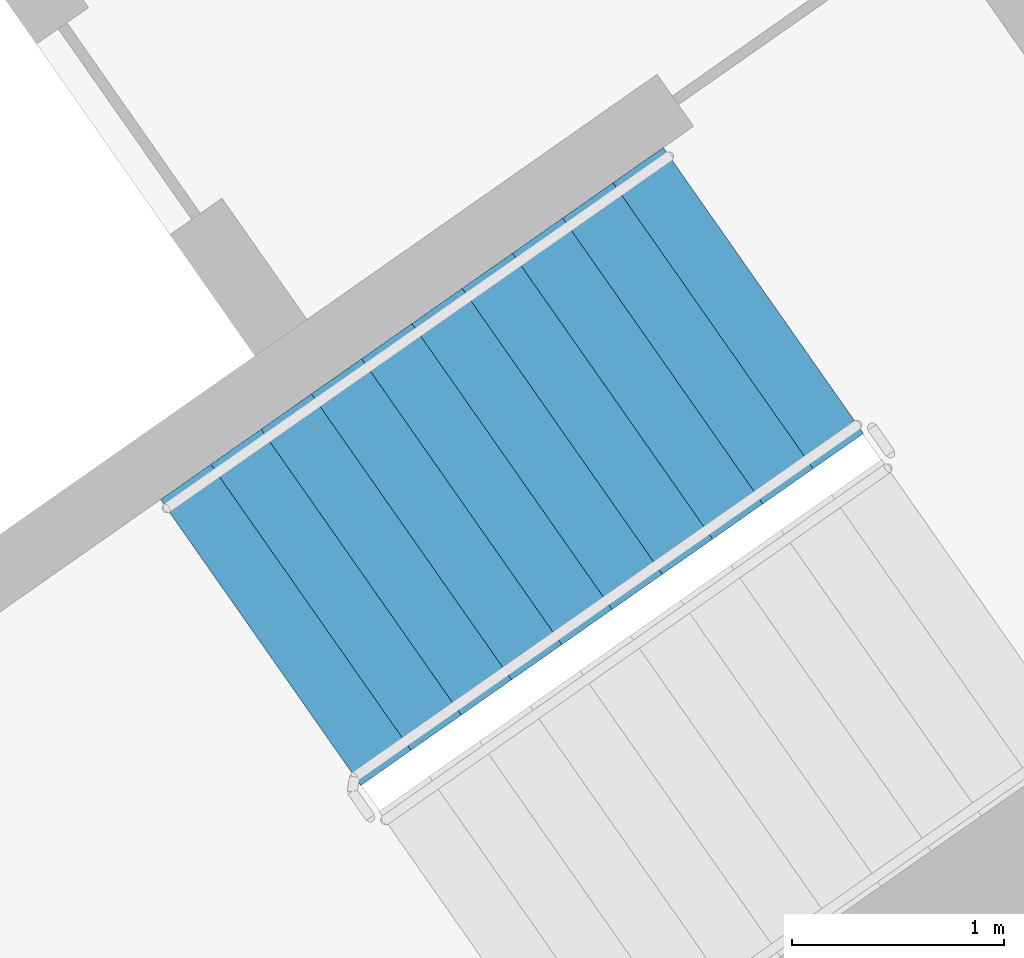
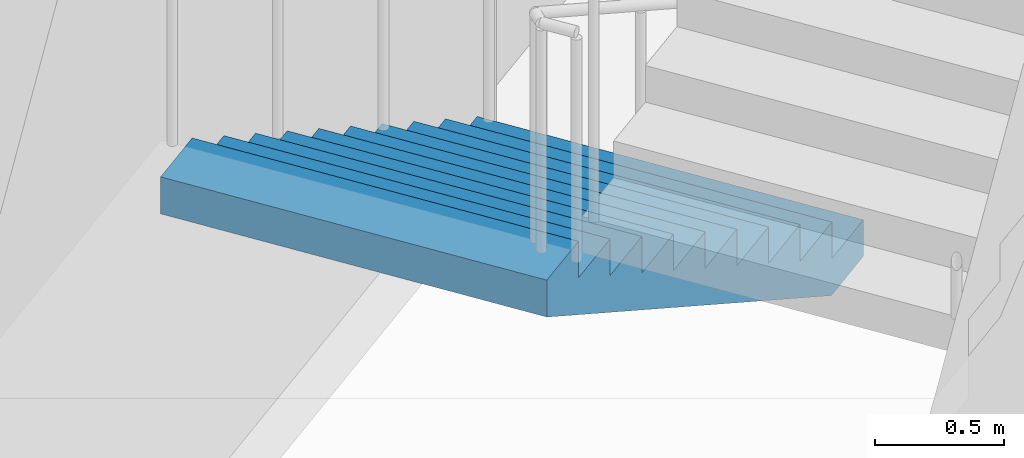
# One storey, part 15 of 28: 1 stair flight, 1 element without a shape of its own.
"""IFC4 building model written with IfcOpenShell, lengths in metres."""

from ifc_helpers import new_model, si_unit, direction, frame, origin, place, context, subcontext, project, spatial, faceted_brep, material, type_object, element, aggregate, save


model = new_model("IFC4")

# Units and contexts
model_context = context("Model", 3, precision=1e-05, world=origin(), true_north=direction((0.0, 1.0)))
body_context = subcontext(model_context, "Body", "Model", "MODEL_VIEW")
ifc_project = project(units=[si_unit("LENGTHUNIT", "METRE"), si_unit("AREAUNIT", "SQUARE_METRE"), si_unit("VOLUMEUNIT", "CUBIC_METRE"), si_unit("PLANEANGLEUNIT", "RADIAN"), si_unit("MASSUNIT", "GRAM", prefix="KILO")], contexts=[model_context])

# Site, building, storey
site_placement = place(None, origin())
site = spatial("IfcSite", under=ifc_project, at=site_placement, CompositionType="ELEMENT")
building_placement = place(site_placement, origin())
building = spatial("IfcBuilding", under=site, at=building_placement, Name="Qamariyya Broadcast Tower", CompositionType="ELEMENT")
storey_placement = place(building_placement, frame((0.0, 0.0, 218.89990234375)))
storey = spatial("IfcBuildingStorey", under=building, at=storey_placement, Name="L52", CompositionType="ELEMENT", Elevation=218.89990234375)

# Stair, stair flight
ifc_material = material(Name="Concrete C50/60", Category="concrete")
stair_type = type_object("IfcStairType", Name="Exit stair 22 risers of 173 mm", PredefinedType="HALF_TURN_STAIR", material=ifc_material)
stair_placement = place(storey_placement, origin())
stair = element("IfcStair", 1, at=stair_placement, inside=storey, type_object=stair_type, Name="L52 Stair E1", PredefinedType="HALF_TURN_STAIR")
stair_flight_type = type_object("IfcStairFlightType", Name="Exit stair flight 11 risers of 173 mm", PredefinedType="STRAIGHT", material=ifc_material)
stair_flight_placement = place(storey_placement, frame((46.036376953125, -55.508056640625, 0.0), z_axis=(0.0, 0.0, 1.0), x_axis=(-0.819152044289, -0.573576436351, 0.0)))
stair_flight = element("IfcStairFlight", 2, at=stair_flight_placement, type_object=stair_flight_type, Name="ST-E1 flight 1", NumberOfRisers=11, NumberOfTreads=10, PredefinedType="STRAIGHT", RiserHeight=0.172727273, TreadLength=0.29, context=body_context, shape_type="Brep", body=[
    faceted_brep([(0.0, 0.824951171875, 0.0), (0.0, 0.824951171875, 0.172607421875), (0.2900390625, 0.824951171875, 0.172607421875), (0.2900390625, 0.824951171875, 0.345458984375), (0.580078125, 0.824951171875, 0.345458984375), (0.580078125, 0.824951171875, 0.51806640625), (0.8701171875, 0.824951171875, 0.51806640625), (0.8701171875, 0.824951171875, 0.69091796875), (1.159912109375, 0.824951171875, 0.69091796875), (1.159912109375, 0.824951171875, 0.863525390625), (1.449951171875, 0.824951171875, 0.863525390625), (1.449951171875, 0.824951171875, 1.036376953125), (1.739990234375, 0.824951171875, 1.036376953125), (1.739990234375, 0.824951171875, 1.208984375), (2.030029296875, 0.824951171875, 1.208984375), (2.030029296875, 0.824951171875, 1.3818359375), (2.320068359375, 0.824951171875, 1.3818359375), (2.320068359375, 0.824951171875, 1.554443359375), (2.610107421875, 0.824951171875, 1.554443359375), (2.610107421875, 0.824951171875, 1.727294921875), (2.89990234375, 0.824951171875, 1.727294921875), (2.89990234375, 0.824951171875, 1.552734375), (0.29296875, 0.824951171875, 0.0), (0.29296875, -0.824951171875, 0.0), (2.89990234375, -0.824951171875, 1.552734375), (2.89990234375, -0.824951171875, 1.727294921875), (2.610107421875, -0.824951171875, 1.727294921875), (2.610107421875, -0.824951171875, 1.554443359375), (2.320068359375, -0.824951171875, 1.554443359375), (2.320068359375, -0.824951171875, 1.3818359375), (2.030029296875, -0.824951171875, 1.3818359375), (2.030029296875, -0.824951171875, 1.208984375), (1.739990234375, -0.824951171875, 1.208984375), (1.739990234375, -0.824951171875, 1.036376953125), (1.449951171875, -0.824951171875, 1.036376953125), (1.449951171875, -0.824951171875, 0.863525390625), (1.159912109375, -0.824951171875, 0.863525390625), (1.159912109375, -0.824951171875, 0.69091796875), (0.8701171875, -0.824951171875, 0.69091796875), (0.8701171875, -0.824951171875, 0.51806640625), (0.580078125, -0.824951171875, 0.51806640625), (0.580078125, -0.824951171875, 0.345458984375), (0.2900390625, -0.824951171875, 0.345458984375), (0.2900390625, -0.824951171875, 0.172607421875), (0.0, -0.824951171875, 0.172607421875), (0.0, -0.824951171875, 0.0), (0.0, 0.10009765625, 0.0), (0.0, 0.086669921875, 0.0), (0.0, 0.0732421875, 0.0), (0.0, 0.06005859375, 0.0), (0.0, 0.046630859375, 0.0), (0.0, 0.033447265625, 0.0), (0.0, 0.02001953125, 0.0), (0.0, 0.006591796875, 0.0), (0.0, -0.006591796875, 0.0), (0.0, -0.02001953125, 0.0), (0.0, -0.033447265625, 0.0), (0.0, -0.046630859375, 0.0), (0.0, -0.06005859375, 0.0), (0.0, -0.0732421875, 0.0), (0.0, -0.086669921875, 0.0), (0.0, -0.10009765625, 0.0), (0.0, -0.10009765625, 0.172607421875), (0.0, -0.086669921875, 0.172607421875), (0.0, -0.0732421875, 0.172607421875), (0.0, -0.06005859375, 0.172607421875), (0.0, -0.046630859375, 0.172607421875), (0.0, -0.033447265625, 0.172607421875), (0.0, -0.02001953125, 0.172607421875), (0.0, -0.006591796875, 0.172607421875), (0.0, 0.006591796875, 0.172607421875), (0.0, 0.02001953125, 0.172607421875), (0.0, 0.033447265625, 0.172607421875), (0.0, 0.046630859375, 0.172607421875), (0.0, 0.06005859375, 0.172607421875), (0.0, 0.0732421875, 0.172607421875), (0.0, 0.086669921875, 0.172607421875), (0.0, 0.10009765625, 0.172607421875), (0.2900390625, -0.10009765625, 0.172607421875), (0.2900390625, -0.086669921875, 0.172607421875), (0.2900390625, -0.0732421875, 0.172607421875), (0.2900390625, -0.06005859375, 0.172607421875), (0.2900390625, -0.046630859375, 0.172607421875), (0.2900390625, -0.033447265625, 0.172607421875), (0.2900390625, -0.02001953125, 0.172607421875), (0.2900390625, -0.006591796875, 0.172607421875), (0.2900390625, 0.006591796875, 0.172607421875), (0.2900390625, 0.02001953125, 0.172607421875), (0.2900390625, 0.033447265625, 0.172607421875), (0.2900390625, 0.046630859375, 0.172607421875), (0.2900390625, 0.06005859375, 0.172607421875), (0.2900390625, 0.0732421875, 0.172607421875), (0.2900390625, 0.086669921875, 0.172607421875), (0.2900390625, 0.10009765625, 0.172607421875), (0.2900390625, -0.10009765625, 0.345458984375), (0.2900390625, -0.086669921875, 0.345458984375), (0.2900390625, -0.0732421875, 0.345458984375), (0.2900390625, -0.06005859375, 0.345458984375), (0.2900390625, -0.046630859375, 0.345458984375), (0.2900390625, -0.033447265625, 0.345458984375), (0.2900390625, -0.02001953125, 0.345458984375), (0.2900390625, -0.006591796875, 0.345458984375), (0.2900390625, 0.006591796875, 0.345458984375), (0.2900390625, 0.02001953125, 0.345458984375), (0.2900390625, 0.033447265625, 0.345458984375), (0.2900390625, 0.046630859375, 0.345458984375), (0.2900390625, 0.06005859375, 0.345458984375), (0.2900390625, 0.0732421875, 0.345458984375), (0.2900390625, 0.086669921875, 0.345458984375), (0.2900390625, 0.10009765625, 0.345458984375), (0.580078125, -0.10009765625, 0.345458984375), (0.580078125, -0.086669921875, 0.345458984375), (0.580078125, -0.0732421875, 0.345458984375), (0.580078125, -0.06005859375, 0.345458984375), (0.580078125, -0.046630859375, 0.345458984375), (0.580078125, -0.033447265625, 0.345458984375), (0.580078125, -0.02001953125, 0.345458984375), (0.580078125, -0.006591796875, 0.345458984375), (0.580078125, 0.006591796875, 0.345458984375), (0.580078125, 0.02001953125, 0.345458984375), (0.580078125, 0.033447265625, 0.345458984375), (0.580078125, 0.046630859375, 0.345458984375), (0.580078125, 0.06005859375, 0.345458984375), (0.580078125, 0.0732421875, 0.345458984375), (0.580078125, 0.086669921875, 0.345458984375), (0.580078125, 0.10009765625, 0.345458984375), (0.580078125, -0.10009765625, 0.51806640625), (0.580078125, -0.086669921875, 0.51806640625), (0.580078125, -0.0732421875, 0.51806640625), (0.580078125, -0.06005859375, 0.51806640625), (0.580078125, -0.046630859375, 0.51806640625), (0.580078125, -0.033447265625, 0.51806640625), (0.580078125, -0.02001953125, 0.51806640625), (0.580078125, -0.006591796875, 0.51806640625), (0.580078125, 0.006591796875, 0.51806640625), (0.580078125, 0.02001953125, 0.51806640625), (0.580078125, 0.033447265625, 0.51806640625), (0.580078125, 0.046630859375, 0.51806640625), (0.580078125, 0.06005859375, 0.51806640625), (0.580078125, 0.0732421875, 0.51806640625), (0.580078125, 0.086669921875, 0.51806640625), (0.580078125, 0.10009765625, 0.51806640625), (0.8701171875, -0.10009765625, 0.51806640625), (0.8701171875, -0.086669921875, 0.51806640625), (0.8701171875, -0.0732421875, 0.51806640625), (0.8701171875, -0.06005859375, 0.51806640625), (0.8701171875, -0.046630859375, 0.51806640625), (0.8701171875, -0.033447265625, 0.51806640625), (0.8701171875, -0.02001953125, 0.51806640625), (0.8701171875, -0.006591796875, 0.51806640625), (0.8701171875, 0.006591796875, 0.51806640625), (0.8701171875, 0.02001953125, 0.51806640625), (0.8701171875, 0.033447265625, 0.51806640625), (0.8701171875, 0.046630859375, 0.51806640625), (0.8701171875, 0.06005859375, 0.51806640625), (0.8701171875, 0.0732421875, 0.51806640625), (0.8701171875, 0.086669921875, 0.51806640625), (0.8701171875, 0.10009765625, 0.51806640625), (0.8701171875, -0.10009765625, 0.69091796875), (0.8701171875, -0.086669921875, 0.69091796875), (0.8701171875, -0.0732421875, 0.69091796875), (0.8701171875, -0.06005859375, 0.69091796875), (0.8701171875, -0.046630859375, 0.69091796875), (0.8701171875, -0.033447265625, 0.69091796875), (0.8701171875, -0.02001953125, 0.69091796875), (0.8701171875, -0.006591796875, 0.69091796875), (0.8701171875, 0.006591796875, 0.69091796875), (0.8701171875, 0.02001953125, 0.69091796875), (0.8701171875, 0.033447265625, 0.69091796875), (0.8701171875, 0.046630859375, 0.69091796875), (0.8701171875, 0.06005859375, 0.69091796875), (0.8701171875, 0.0732421875, 0.69091796875), (0.8701171875, 0.086669921875, 0.69091796875), (0.8701171875, 0.10009765625, 0.69091796875), (1.159912109375, -0.10009765625, 0.69091796875), (1.159912109375, -0.086669921875, 0.69091796875), (1.159912109375, -0.0732421875, 0.69091796875), (1.159912109375, -0.06005859375, 0.69091796875), (1.159912109375, -0.046630859375, 0.69091796875), (1.159912109375, -0.033447265625, 0.69091796875), (1.159912109375, -0.02001953125, 0.69091796875), (1.159912109375, -0.006591796875, 0.69091796875), (1.159912109375, 0.006591796875, 0.69091796875), (1.159912109375, 0.02001953125, 0.69091796875), (1.159912109375, 0.033447265625, 0.69091796875), (1.159912109375, 0.046630859375, 0.69091796875), (1.159912109375, 0.06005859375, 0.69091796875), (1.159912109375, 0.0732421875, 0.69091796875), (1.159912109375, 0.086669921875, 0.69091796875), (1.159912109375, 0.10009765625, 0.69091796875), (1.159912109375, -0.10009765625, 0.863525390625), (1.159912109375, -0.086669921875, 0.863525390625), (1.159912109375, -0.0732421875, 0.863525390625), (1.159912109375, -0.06005859375, 0.863525390625), (1.159912109375, -0.046630859375, 0.863525390625), (1.159912109375, -0.033447265625, 0.863525390625), (1.159912109375, -0.02001953125, 0.863525390625), (1.159912109375, -0.006591796875, 0.863525390625), (1.159912109375, 0.006591796875, 0.863525390625), (1.159912109375, 0.02001953125, 0.863525390625), (1.159912109375, 0.033447265625, 0.863525390625), (1.159912109375, 0.046630859375, 0.863525390625), (1.159912109375, 0.06005859375, 0.863525390625), (1.159912109375, 0.0732421875, 0.863525390625), (1.159912109375, 0.086669921875, 0.863525390625), (1.159912109375, 0.10009765625, 0.863525390625), (1.449951171875, -0.10009765625, 0.863525390625), (1.449951171875, -0.086669921875, 0.863525390625), (1.449951171875, -0.0732421875, 0.863525390625), (1.449951171875, -0.06005859375, 0.863525390625), (1.449951171875, -0.046630859375, 0.863525390625), (1.449951171875, -0.033447265625, 0.863525390625), (1.449951171875, -0.02001953125, 0.863525390625), (1.449951171875, -0.006591796875, 0.863525390625), (1.449951171875, 0.006591796875, 0.863525390625), (1.449951171875, 0.02001953125, 0.863525390625), (1.449951171875, 0.033447265625, 0.863525390625), (1.449951171875, 0.046630859375, 0.863525390625), (1.449951171875, 0.06005859375, 0.863525390625), (1.449951171875, 0.0732421875, 0.863525390625), (1.449951171875, 0.086669921875, 0.863525390625), (1.449951171875, 0.10009765625, 0.863525390625), (1.449951171875, -0.10009765625, 1.036376953125), (1.449951171875, -0.086669921875, 1.036376953125), (1.449951171875, -0.0732421875, 1.036376953125), (1.449951171875, -0.06005859375, 1.036376953125), (1.449951171875, -0.046630859375, 1.036376953125), (1.449951171875, -0.033447265625, 1.036376953125), (1.449951171875, -0.02001953125, 1.036376953125), (1.449951171875, -0.006591796875, 1.036376953125), (1.449951171875, 0.006591796875, 1.036376953125), (1.449951171875, 0.02001953125, 1.036376953125), (1.449951171875, 0.033447265625, 1.036376953125), (1.449951171875, 0.046630859375, 1.036376953125), (1.449951171875, 0.06005859375, 1.036376953125), (1.449951171875, 0.0732421875, 1.036376953125), (1.449951171875, 0.086669921875, 1.036376953125), (1.449951171875, 0.10009765625, 1.036376953125), (1.739990234375, -0.10009765625, 1.036376953125), (1.739990234375, -0.086669921875, 1.036376953125), (1.739990234375, -0.0732421875, 1.036376953125), (1.739990234375, -0.06005859375, 1.036376953125), (1.739990234375, -0.046630859375, 1.036376953125), (1.739990234375, -0.033447265625, 1.036376953125), (1.739990234375, -0.02001953125, 1.036376953125), (1.739990234375, -0.006591796875, 1.036376953125), (1.739990234375, 0.006591796875, 1.036376953125), (1.739990234375, 0.02001953125, 1.036376953125), (1.739990234375, 0.033447265625, 1.036376953125), (1.739990234375, 0.046630859375, 1.036376953125), (1.739990234375, 0.06005859375, 1.036376953125), (1.739990234375, 0.0732421875, 1.036376953125), (1.739990234375, 0.086669921875, 1.036376953125), (1.739990234375, 0.10009765625, 1.036376953125), (1.739990234375, -0.10009765625, 1.208984375), (1.739990234375, -0.086669921875, 1.208984375), (1.739990234375, -0.0732421875, 1.208984375), (1.739990234375, -0.06005859375, 1.208984375), (1.739990234375, -0.046630859375, 1.208984375), (1.739990234375, -0.033447265625, 1.208984375), (1.739990234375, -0.02001953125, 1.208984375), (1.739990234375, -0.006591796875, 1.208984375), (1.739990234375, 0.006591796875, 1.208984375), (1.739990234375, 0.02001953125, 1.208984375), (1.739990234375, 0.033447265625, 1.208984375), (1.739990234375, 0.046630859375, 1.208984375), (1.739990234375, 0.06005859375, 1.208984375), (1.739990234375, 0.0732421875, 1.208984375), (1.739990234375, 0.086669921875, 1.208984375), (1.739990234375, 0.10009765625, 1.208984375), (2.030029296875, -0.10009765625, 1.208984375), (2.030029296875, -0.086669921875, 1.208984375), (2.030029296875, -0.0732421875, 1.208984375), (2.030029296875, -0.06005859375, 1.208984375), (2.030029296875, -0.046630859375, 1.208984375), (2.030029296875, -0.033447265625, 1.208984375), (2.030029296875, -0.02001953125, 1.208984375), (2.030029296875, -0.006591796875, 1.208984375), (2.030029296875, 0.006591796875, 1.208984375), (2.030029296875, 0.02001953125, 1.208984375), (2.030029296875, 0.033447265625, 1.208984375), (2.030029296875, 0.046630859375, 1.208984375), (2.030029296875, 0.06005859375, 1.208984375), (2.030029296875, 0.0732421875, 1.208984375), (2.030029296875, 0.086669921875, 1.208984375), (2.030029296875, 0.10009765625, 1.208984375), (2.030029296875, -0.10009765625, 1.3818359375), (2.030029296875, -0.086669921875, 1.3818359375), (2.030029296875, -0.0732421875, 1.3818359375), (2.030029296875, -0.06005859375, 1.3818359375), (2.030029296875, -0.046630859375, 1.3818359375), (2.030029296875, -0.033447265625, 1.3818359375), (2.030029296875, -0.02001953125, 1.3818359375), (2.030029296875, -0.006591796875, 1.3818359375), (2.030029296875, 0.006591796875, 1.3818359375), (2.030029296875, 0.02001953125, 1.3818359375), (2.030029296875, 0.033447265625, 1.3818359375), (2.030029296875, 0.046630859375, 1.3818359375), (2.030029296875, 0.06005859375, 1.3818359375), (2.030029296875, 0.0732421875, 1.3818359375), (2.030029296875, 0.086669921875, 1.3818359375), (2.030029296875, 0.10009765625, 1.3818359375), (2.320068359375, -0.10009765625, 1.3818359375), (2.320068359375, -0.086669921875, 1.3818359375), (2.320068359375, -0.0732421875, 1.3818359375), (2.320068359375, -0.06005859375, 1.3818359375), (2.320068359375, -0.046630859375, 1.3818359375), (2.320068359375, -0.033447265625, 1.3818359375), (2.320068359375, -0.02001953125, 1.3818359375), (2.320068359375, -0.006591796875, 1.3818359375), (2.320068359375, 0.006591796875, 1.3818359375), (2.320068359375, 0.02001953125, 1.3818359375), (2.320068359375, 0.033447265625, 1.3818359375), (2.320068359375, 0.046630859375, 1.3818359375), (2.320068359375, 0.06005859375, 1.3818359375), (2.320068359375, 0.0732421875, 1.3818359375), (2.320068359375, 0.086669921875, 1.3818359375), (2.320068359375, 0.10009765625, 1.3818359375), (2.320068359375, -0.10009765625, 1.554443359375), (2.320068359375, -0.086669921875, 1.554443359375), (2.320068359375, -0.0732421875, 1.554443359375), (2.320068359375, -0.06005859375, 1.554443359375), (2.320068359375, -0.046630859375, 1.554443359375), (2.320068359375, -0.033447265625, 1.554443359375), (2.320068359375, -0.02001953125, 1.554443359375), (2.320068359375, -0.006591796875, 1.554443359375), (2.320068359375, 0.006591796875, 1.554443359375), (2.320068359375, 0.02001953125, 1.554443359375), (2.320068359375, 0.033447265625, 1.554443359375), (2.320068359375, 0.046630859375, 1.554443359375), (2.320068359375, 0.06005859375, 1.554443359375), (2.320068359375, 0.0732421875, 1.554443359375), (2.320068359375, 0.086669921875, 1.554443359375), (2.320068359375, 0.10009765625, 1.554443359375), (2.610107421875, -0.10009765625, 1.554443359375), (2.610107421875, -0.086669921875, 1.554443359375), (2.610107421875, -0.0732421875, 1.554443359375), (2.610107421875, -0.06005859375, 1.554443359375), (2.610107421875, -0.046630859375, 1.554443359375), (2.610107421875, -0.033447265625, 1.554443359375), (2.610107421875, -0.02001953125, 1.554443359375), (2.610107421875, -0.006591796875, 1.554443359375), (2.610107421875, 0.006591796875, 1.554443359375), (2.610107421875, 0.02001953125, 1.554443359375), (2.610107421875, 0.033447265625, 1.554443359375), (2.610107421875, 0.046630859375, 1.554443359375), (2.610107421875, 0.06005859375, 1.554443359375), (2.610107421875, 0.0732421875, 1.554443359375), (2.610107421875, 0.086669921875, 1.554443359375), (2.610107421875, 0.10009765625, 1.554443359375), (2.610107421875, -0.10009765625, 1.727294921875), (2.610107421875, -0.086669921875, 1.727294921875), (2.610107421875, -0.0732421875, 1.727294921875), (2.610107421875, -0.06005859375, 1.727294921875), (2.610107421875, -0.046630859375, 1.727294921875), (2.610107421875, -0.033447265625, 1.727294921875), (2.610107421875, -0.02001953125, 1.727294921875), (2.610107421875, -0.006591796875, 1.727294921875), (2.610107421875, 0.006591796875, 1.727294921875), (2.610107421875, 0.02001953125, 1.727294921875), (2.610107421875, 0.033447265625, 1.727294921875), (2.610107421875, 0.046630859375, 1.727294921875), (2.610107421875, 0.06005859375, 1.727294921875), (2.610107421875, 0.0732421875, 1.727294921875), (2.610107421875, 0.086669921875, 1.727294921875), (2.610107421875, 0.10009765625, 1.727294921875), (2.89990234375, -0.10009765625, 1.727294921875), (2.89990234375, -0.086669921875, 1.727294921875), (2.89990234375, -0.0732421875, 1.727294921875), (2.89990234375, -0.06005859375, 1.727294921875), (2.89990234375, -0.046630859375, 1.727294921875), (2.89990234375, -0.033447265625, 1.727294921875), (2.89990234375, -0.02001953125, 1.727294921875), (2.89990234375, -0.006591796875, 1.727294921875), (2.89990234375, 0.006591796875, 1.727294921875), (2.89990234375, 0.02001953125, 1.727294921875), (2.89990234375, 0.033447265625, 1.727294921875), (2.89990234375, 0.046630859375, 1.727294921875), (2.89990234375, 0.06005859375, 1.727294921875), (2.89990234375, 0.0732421875, 1.727294921875), (2.89990234375, 0.086669921875, 1.727294921875), (2.89990234375, 0.10009765625, 1.727294921875), (2.89990234375, -0.10009765625, 1.552734375), (2.89990234375, -0.086669921875, 1.552734375), (2.89990234375, -0.0732421875, 1.552734375), (2.89990234375, -0.06005859375, 1.552734375), (2.89990234375, -0.046630859375, 1.552734375), (2.89990234375, -0.033447265625, 1.552734375), (2.89990234375, -0.02001953125, 1.552734375), (2.89990234375, -0.006591796875, 1.552734375), (2.89990234375, 0.006591796875, 1.552734375), (2.89990234375, 0.02001953125, 1.552734375), (2.89990234375, 0.033447265625, 1.552734375), (2.89990234375, 0.046630859375, 1.552734375), (2.89990234375, 0.06005859375, 1.552734375), (2.89990234375, 0.0732421875, 1.552734375), (2.89990234375, 0.086669921875, 1.552734375), (2.89990234375, 0.10009765625, 1.552734375), (0.29296875, -0.10009765625, 0.0), (0.29296875, -0.086669921875, 0.0), (0.29296875, -0.0732421875, 0.0), (0.29296875, -0.06005859375, 0.0), (0.29296875, -0.046630859375, 0.0), (0.29296875, -0.033447265625, 0.0), (0.29296875, -0.02001953125, 0.0), (0.29296875, -0.006591796875, 0.0), (0.29296875, 0.006591796875, 0.0), (0.29296875, 0.02001953125, 0.0), (0.29296875, 0.033447265625, 0.0), (0.29296875, 0.046630859375, 0.0), (0.29296875, 0.06005859375, 0.0), (0.29296875, 0.0732421875, 0.0), (0.29296875, 0.086669921875, 0.0), (0.29296875, 0.10009765625, 0.0)], [[[0, 1, 2, 3, 4, 5, 6, 7, 8, 9, 10, 11, 12, 13, 14, 15, 16, 17, 18, 19, 20, 21, 22]], [[23, 24, 25, 26, 27, 28, 29, 30, 31, 32, 33, 34, 35, 36, 37, 38, 39, 40, 41, 42, 43, 44, 45]], [[0, 46, 47, 48, 49, 50, 51, 52, 53, 54, 55, 56, 57, 58, 59, 60, 61, 45, 44, 62, 63, 64, 65, 66, 67, 68, 69, 70, 71, 72, 73, 74, 75, 76, 77, 1]], [[1, 77, 76, 75, 74, 73, 72, 71, 70, 69, 68, 67, 66, 65, 64, 63, 62, 44, 43, 78, 79, 80, 81, 82, 83, 84, 85, 86, 87, 88, 89, 90, 91, 92, 93, 2]], [[2, 93, 92, 91, 90, 89, 88, 87, 86, 85, 84, 83, 82, 81, 80, 79, 78, 43, 42, 94, 95, 96, 97, 98, 99, 100, 101, 102, 103, 104, 105, 106, 107, 108, 109, 3]], [[3, 109, 108, 107, 106, 105, 104, 103, 102, 101, 100, 99, 98, 97, 96, 95, 94, 42, 41, 110, 111, 112, 113, 114, 115, 116, 117, 118, 119, 120, 121, 122, 123, 124, 125, 4]], [[4, 125, 124, 123, 122, 121, 120, 119, 118, 117, 116, 115, 114, 113, 112, 111, 110, 41, 40, 126, 127, 128, 129, 130, 131, 132, 133, 134, 135, 136, 137, 138, 139, 140, 141, 5]], [[5, 141, 140, 139, 138, 137, 136, 135, 134, 133, 132, 131, 130, 129, 128, 127, 126, 40, 39, 142, 143, 144, 145, 146, 147, 148, 149, 150, 151, 152, 153, 154, 155, 156, 157, 6]], [[6, 157, 156, 155, 154, 153, 152, 151, 150, 149, 148, 147, 146, 145, 144, 143, 142, 39, 38, 158, 159, 160, 161, 162, 163, 164, 165, 166, 167, 168, 169, 170, 171, 172, 173, 7]], [[7, 173, 172, 171, 170, 169, 168, 167, 166, 165, 164, 163, 162, 161, 160, 159, 158, 38, 37, 174, 175, 176, 177, 178, 179, 180, 181, 182, 183, 184, 185, 186, 187, 188, 189, 8]], [[8, 189, 188, 187, 186, 185, 184, 183, 182, 181, 180, 179, 178, 177, 176, 175, 174, 37, 36, 190, 191, 192, 193, 194, 195, 196, 197, 198, 199, 200, 201, 202, 203, 204, 205, 9]], [[9, 205, 204, 203, 202, 201, 200, 199, 198, 197, 196, 195, 194, 193, 192, 191, 190, 36, 35, 206, 207, 208, 209, 210, 211, 212, 213, 214, 215, 216, 217, 218, 219, 220, 221, 10]], [[10, 221, 220, 219, 218, 217, 216, 215, 214, 213, 212, 211, 210, 209, 208, 207, 206, 35, 34, 222, 223, 224, 225, 226, 227, 228, 229, 230, 231, 232, 233, 234, 235, 236, 237, 11]], [[11, 237, 236, 235, 234, 233, 232, 231, 230, 229, 228, 227, 226, 225, 224, 223, 222, 34, 33, 238, 239, 240, 241, 242, 243, 244, 245, 246, 247, 248, 249, 250, 251, 252, 253, 12]], [[12, 253, 252, 251, 250, 249, 248, 247, 246, 245, 244, 243, 242, 241, 240, 239, 238, 33, 32, 254, 255, 256, 257, 258, 259, 260, 261, 262, 263, 264, 265, 266, 267, 268, 269, 13]], [[13, 269, 268, 267, 266, 265, 264, 263, 262, 261, 260, 259, 258, 257, 256, 255, 254, 32, 31, 270, 271, 272, 273, 274, 275, 276, 277, 278, 279, 280, 281, 282, 283, 284, 285, 14]], [[14, 285, 284, 283, 282, 281, 280, 279, 278, 277, 276, 275, 274, 273, 272, 271, 270, 31, 30, 286, 287, 288, 289, 290, 291, 292, 293, 294, 295, 296, 297, 298, 299, 300, 301, 15]], [[15, 301, 300, 299, 298, 297, 296, 295, 294, 293, 292, 291, 290, 289, 288, 287, 286, 30, 29, 302, 303, 304, 305, 306, 307, 308, 309, 310, 311, 312, 313, 314, 315, 316, 317, 16]], [[16, 317, 316, 315, 314, 313, 312, 311, 310, 309, 308, 307, 306, 305, 304, 303, 302, 29, 28, 318, 319, 320, 321, 322, 323, 324, 325, 326, 327, 328, 329, 330, 331, 332, 333, 17]], [[17, 333, 332, 331, 330, 329, 328, 327, 326, 325, 324, 323, 322, 321, 320, 319, 318, 28, 27, 334, 335, 336, 337, 338, 339, 340, 341, 342, 343, 344, 345, 346, 347, 348, 349, 18]], [[18, 349, 348, 347, 346, 345, 344, 343, 342, 341, 340, 339, 338, 337, 336, 335, 334, 27, 26, 350, 351, 352, 353, 354, 355, 356, 357, 358, 359, 360, 361, 362, 363, 364, 365, 19]], [[19, 365, 364, 363, 362, 361, 360, 359, 358, 357, 356, 355, 354, 353, 352, 351, 350, 26, 25, 366, 367, 368, 369, 370, 371, 372, 373, 374, 375, 376, 377, 378, 379, 380, 381, 20]], [[20, 381, 380, 379, 378, 377, 376, 375, 374, 373, 372, 371, 370, 369, 368, 367, 366, 25, 24, 382, 383, 384, 385, 386, 387, 388, 389, 390, 391, 392, 393, 394, 395, 396, 397, 21]], [[21, 397, 396, 395, 394, 393, 392, 391, 390, 389, 388, 387, 386, 385, 384, 383, 382, 24, 23, 398, 399, 400, 401, 402, 403, 404, 405, 406, 407, 408, 409, 410, 411, 412, 413, 22]], [[22, 413, 412, 411, 410, 409, 408, 407, 406, 405, 404, 403, 402, 401, 400, 399, 398, 23, 45, 61, 60, 59, 58, 57, 56, 55, 54, 53, 52, 51, 50, 49, 48, 47, 46, 0]]]),
])
aggregate(stair, [stair_flight])

save(model, "model.ifc")
